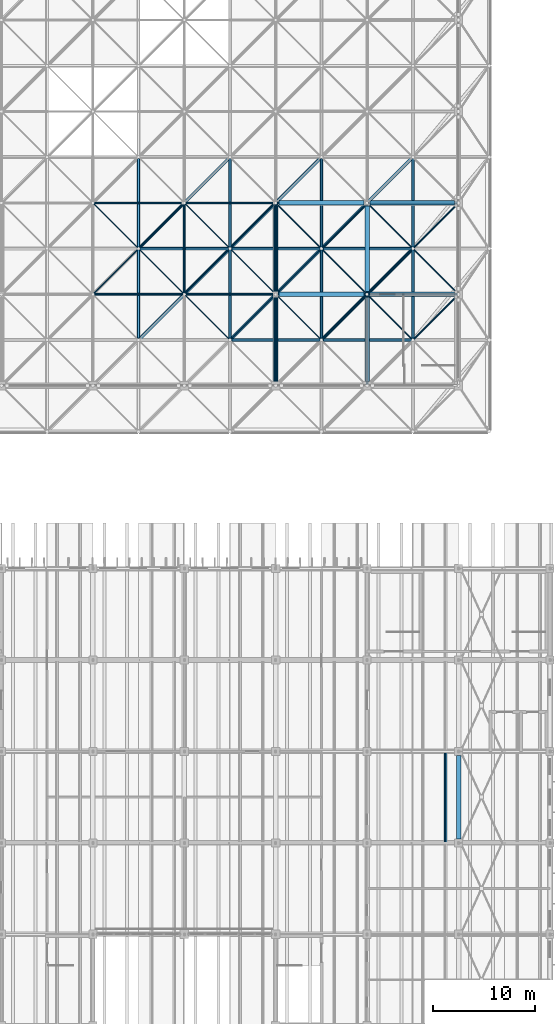
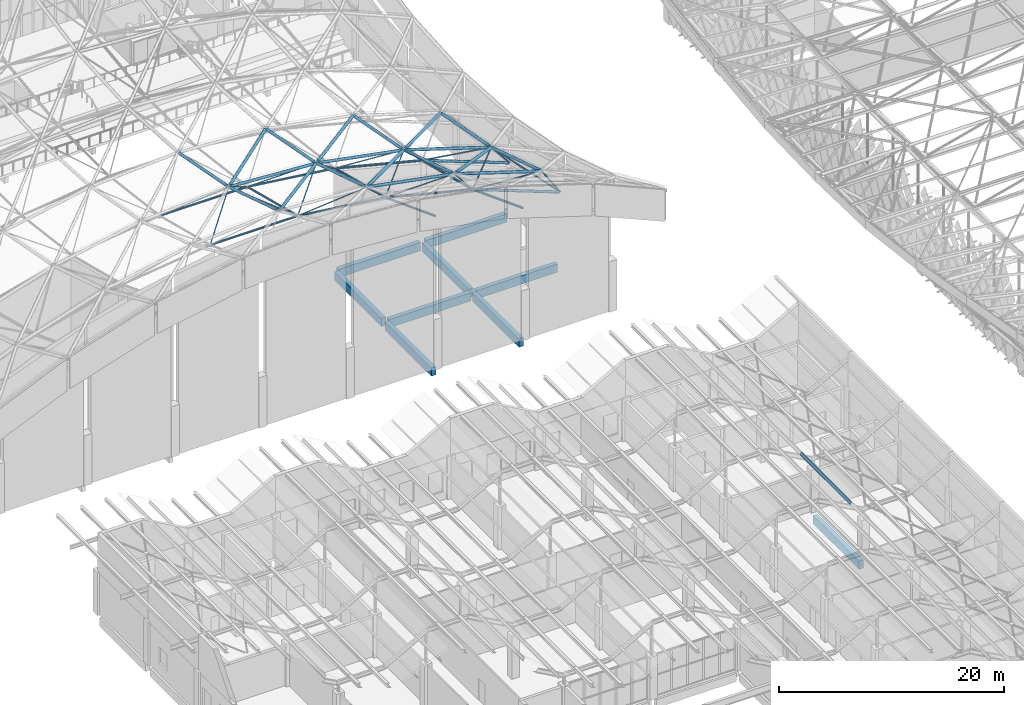
# One storey, part 72 of 437: 55 members, 9 beams.
"""IFC4 building model written with IfcOpenShell, lengths in metres."""

from ifc_helpers import new_model, si_unit, direction, frame, origin, origin_2d, place, context, subcontext, project, spatial, rectangle, hollow_circle, i_section, extrude, material, material_profile, profile_set, type_object, element, save


model = new_model("IFC4")

# Units and contexts
model_context = context("Model", 3, precision=1e-05, world=origin(), true_north=direction((0.0, 1.0)))
body_context = subcontext(model_context, "Body", "Model", "MODEL_VIEW")
ifc_project = project(units=[si_unit("LENGTHUNIT", "METRE"), si_unit("AREAUNIT", "SQUARE_METRE"), si_unit("VOLUMEUNIT", "CUBIC_METRE"), si_unit("PLANEANGLEUNIT", "RADIAN"), si_unit("MASSUNIT", "GRAM", prefix="KILO")], contexts=[model_context])

# Site, building, storey
site_placement = place(None, origin())
site = spatial("IfcSite", under=ifc_project, at=site_placement, CompositionType="ELEMENT")
building_placement = place(site_placement, origin())
building = spatial("IfcBuilding", under=site, at=building_placement, Name="Opaline Strait Convention Centre", CompositionType="ELEMENT")
storey_placement = place(building_placement, frame((0.0, 0.0, 11.5)))
storey = spatial("IfcBuildingStorey", under=building, at=storey_placement, Name="L02", CompositionType="ELEMENT", Elevation=11.5)

# Beams
ifc_material_1 = material(Name="Concrete C35", Category="concrete")
ifc_material_profile_1 = material_profile(ifc_material_1, rectangle(XDim=0.449951171875, YDim=0.89990234375, at=origin_2d()), Name="RC 450x900")
ifc_profile_set_1 = profile_set([ifc_material_profile_1], Name="Concrete C35")
beam_type_1 = type_object("IfcBeamType", Name="RC beam 450x900 C35", PredefinedType="BEAM", material=ifc_profile_set_1)
beam_1_placement = place(storey_placement, frame((72.0, 72.39990234375, -0.72998046875), z_axis=(0.0, 1.0, 0.0), x_axis=(-1.0, 0.0, 0.0)))
element("IfcBeam", 1, at=beam_1_placement, inside=storey, type_object=beam_type_1, Name="XB1 L02 72/72-72/81", PredefinedType="BEAM", context=body_context, shape_type="SweptSolid", body=[
    extrude(rectangle(XDim=0.449951171875, YDim=0.89990234375, at=origin_2d()), origin(), (0.0, 0.0, 1.0), 8.2001953125),
])
ifc_material_profile_2 = material_profile(ifc_material_1, rectangle(XDim=0.449951171875, YDim=0.89990234375, at=origin_2d()), Name="RC 450x900")
ifc_profile_set_2 = profile_set([ifc_material_profile_2], Name="Concrete C35")
beam_type_2 = type_object("IfcBeamType", Name="RC floor beam 450x900 C35", PredefinedType="BEAM", material=ifc_profile_set_2)
beam_2_placement = place(storey_placement, frame((54.300048828125, 126.0, -0.72998046875), z_axis=(1.0, 0.0, 0.0), x_axis=(0.0, 1.0, 0.0)))
element("IfcBeam", 2, at=beam_2_placement, inside=storey, type_object=beam_type_2, Name="PFB1 L02 beam 7/Q-8/Q", PredefinedType="BEAM", context=body_context, shape_type="SweptSolid", body=[
    extrude(rectangle(XDim=0.449951171875, YDim=0.89990234375, at=origin_2d()), origin(), (0.0, 0.0, 1.0), 8.39990234375),
])
for number, where, z_axis, x_axis, name in (
    (3, (63.300048828125, 126.0, -0.72998046875), (1.0, 0.0, 0.0), (0.0, 1.0, 0.0), "PFB1 L02 beam 8/Q-9/Q"),
    (4, (63.0, 117.39990234375, -0.72998046875), (0.0, 1.0, 0.0), (-1.0, 0.0, 0.0), "PFB1 L02 beam 8/P-8/Q"),
):
    element("IfcBeam", number, at=place(storey_placement, frame(where, z_axis=z_axis, x_axis=x_axis)), inside=storey, type_object=beam_type_2, Name=name, PredefinedType="BEAM", context=body_context, shape_type="SweptSolid", body=[
        extrude(rectangle(XDim=0.449951171875, YDim=0.89990234375, at=origin_2d()), origin(), (0.0, 0.0, 1.0), 8.300048828125),
    ])
beam_3_placement = place(storey_placement, frame((63.0, 126.300048828125, -0.72998046875), z_axis=(0.0, 1.0, 0.0), x_axis=(-1.0, 0.0, 0.0)))
element("IfcBeam", 5, at=beam_3_placement, inside=storey, type_object=beam_type_2, Name="PFB1 L02 beam 8/Q-8/R", PredefinedType="BEAM", context=body_context, shape_type="SweptSolid", body=[
    extrude(rectangle(XDim=0.449951171875, YDim=0.89990234375, at=origin_2d()), origin(), (0.0, 0.0, 1.0), 8.39990234375),
])
beam_4_placement = place(storey_placement, frame((54.0, 117.39990234375, -0.72998046875), z_axis=(0.0, 1.0, 0.0), x_axis=(-1.0, 0.0, 0.0)))
element("IfcBeam", 6, at=beam_4_placement, inside=storey, type_object=beam_type_2, Name="PFB1 L02 beam 7/P-7/Q", PredefinedType="BEAM", context=body_context, shape_type="SweptSolid", body=[
    extrude(rectangle(XDim=0.449951171875, YDim=0.89990234375, at=origin_2d()), origin(), (0.0, 0.0, 1.0), 8.300048828125),
])
for number, where, z_axis, x_axis, name in (
    (7, (54.0, 126.300048828125, -0.72998046875), (0.0, 1.0, 0.0), (-1.0, 0.0, 0.0), "PFB1 L02 beam 7/Q-7/R"),
    (8, (54.300048828125, 135.0, -0.72998046875), (1.0, 0.0, 0.0), (0.0, 1.0, 0.0), "PFB1 L02 beam 7/R-8/R"),
):
    element("IfcBeam", number, at=place(storey_placement, frame(where, z_axis=z_axis, x_axis=x_axis)), inside=storey, type_object=beam_type_2, Name=name, PredefinedType="BEAM", context=body_context, shape_type="SweptSolid", body=[
        extrude(rectangle(XDim=0.449951171875, YDim=0.89990234375, at=origin_2d()), origin(), (0.0, 0.0, 1.0), 8.39990234375),
    ])
beam_5_placement = place(storey_placement, frame((63.300048828125, 135.0, -0.72998046875), z_axis=(1.0, 0.0, 0.0), x_axis=(0.0, 1.0, 0.0)))
element("IfcBeam", 9, at=beam_5_placement, inside=storey, type_object=beam_type_2, Name="PFB1 L02 beam 8/R-9/R", PredefinedType="BEAM", context=body_context, shape_type="SweptSolid", body=[
    extrude(rectangle(XDim=0.449951171875, YDim=0.89990234375, at=origin_2d()), origin(), (0.0, 0.0, 1.0), 8.300048828125),
])

# Members
ifc_material_2 = material(Name="Steel Q355B", Category="steel")
ifc_material_profile_3 = material_profile(ifc_material_2, i_section(OverallWidth=0.14990234375, OverallDepth=0.300048828125, WebThickness=0.006591796875, FlangeThickness=0.009033203125, FilletRadius=0.012939453125, at=origin_2d()), Name="HN 300x150x6.5x9")
ifc_profile_set_3 = profile_set([ifc_material_profile_3], Name="Steel Q355B")
member_type_1 = type_object("IfcMemberType", Name="Roof purlin HN 300x150x6.5x9", PredefinedType="PURLIN", material=ifc_profile_set_3)
member_1_placement = place(storey_placement, frame((70.729248046875, 72.0, 6.61279296875), z_axis=(0.0, 1.0, 0.0), x_axis=(-0.874157310866, 0.0, 0.485642868639)))
element("IfcMember", 10, at=member_1_placement, inside=storey, type_object=member_type_1, Name="RU1 purlin facet 14 line 2", PredefinedType="PURLIN", context=body_context, shape_type="SweptSolid", body=[
    extrude(i_section(OverallWidth=0.14990234375, OverallDepth=0.300048828125, WebThickness=0.006591796875, FlangeThickness=0.009033203125, FilletRadius=0.012939453125, at=origin_2d()), origin(), (0.0, 0.0, 1.0), 9.0),
])
ifc_material_profile_4 = material_profile(ifc_material_2, hollow_circle(Radius=0.109619140625, WallThickness=0.008056640625, at=origin_2d()), Name="CHS 219x8")
ifc_profile_set_4 = profile_set([ifc_material_profile_4], Name="Steel Q355B")
member_type_2 = type_object("IfcMemberType", Name="Shell truss bottom chord CHS 219x8", PredefinedType="CHORD", material=ifc_profile_set_4)
member_2_placement = place(storey_placement, frame((36.14990234375, 126.0, 14.12353515625), z_axis=(1.0, 0.0, 0.0), x_axis=(0.0, 1.0, 0.0)))
element("IfcMember", 11, at=member_2_placement, inside=storey, type_object=member_type_2, Name="PBC3 bottom chord X4-2", PredefinedType="CHORD", context=body_context, shape_type="SweptSolid", body=[
    extrude(hollow_circle(Radius=0.109619140625, WallThickness=0.008056640625, at=origin_2d()), origin(), (0.0, 0.0, 1.0), 8.7001953125),
])
member_3_placement = place(storey_placement, frame((45.14990234375, 126.0, 14.1044921875), z_axis=(0.992034447069, 0.0, -0.125966883853), x_axis=(0.0, 1.0, 0.0)))
element("IfcMember", 12, at=member_3_placement, inside=storey, type_object=member_type_2, Name="PBC3 bottom chord X5-2", PredefinedType="CHORD", context=body_context, shape_type="SweptSolid", body=[
    extrude(hollow_circle(Radius=0.109619140625, WallThickness=0.008056640625, at=origin_2d()), origin(), (0.0, 0.0, 1.0), 8.77001953125),
])
member_4_placement = place(storey_placement, frame((36.14990234375, 135.0, 11.837890625), z_axis=(1.0, 0.0, 0.0), x_axis=(0.0, 1.0, 0.0)))
element("IfcMember", 13, at=member_4_placement, inside=storey, type_object=member_type_2, Name="PBC3 bottom chord X4-3", PredefinedType="CHORD", context=body_context, shape_type="SweptSolid", body=[
    extrude(hollow_circle(Radius=0.109619140625, WallThickness=0.008056640625, at=origin_2d()), origin(), (0.0, 0.0, 1.0), 8.7001953125),
])
member_5_placement = place(storey_placement, frame((45.14990234375, 135.0, 11.81884765625), z_axis=(0.992034447069, 0.0, -0.125966883853), x_axis=(0.0, 1.0, 0.0)))
element("IfcMember", 14, at=member_5_placement, inside=storey, type_object=member_type_2, Name="PBC3 bottom chord X5-3", PredefinedType="CHORD", context=body_context, shape_type="SweptSolid", body=[
    extrude(hollow_circle(Radius=0.109619140625, WallThickness=0.008056640625, at=origin_2d()), origin(), (0.0, 0.0, 1.0), 8.77001953125),
])
member_6_placement = place(storey_placement, frame((45.0, 126.14990234375, 14.08544921875), z_axis=(0.0, 0.969233447146, -0.246143301624), x_axis=(-1.0, 0.0, 0.0)))
element("IfcMember", 15, at=member_6_placement, inside=storey, type_object=member_type_2, Name="PBC3 bottom chord Y5-2", PredefinedType="CHORD", context=body_context, shape_type="SweptSolid", body=[
    extrude(hollow_circle(Radius=0.109619140625, WallThickness=0.008056640625, at=origin_2d()), origin(), (0.0, 0.0, 1.0), 8.976318359375),
])
member_7_placement = place(storey_placement, frame((54.0, 117.14990234375, 16.35205078125), z_axis=(0.0, 0.934493135261, -0.355981151397), x_axis=(-1.0, 0.0, 0.0)))
element("IfcMember", 16, at=member_7_placement, inside=storey, type_object=member_type_2, Name="PBC3 bottom chord Y6-1", PredefinedType="CHORD", context=body_context, shape_type="SweptSolid", body=[
    extrude(hollow_circle(Radius=0.109619140625, WallThickness=0.008056640625, at=origin_2d()), origin(), (0.0, 0.0, 1.0), 9.31005859375),
])
member_8_placement = place(storey_placement, frame((54.0, 126.14990234375, 12.942626953125), z_axis=(0.0, 0.969233447146, -0.246143301624), x_axis=(-1.0, 0.0, 0.0)))
element("IfcMember", 17, at=member_8_placement, inside=storey, type_object=member_type_2, Name="PBC3 bottom chord Y6-2", PredefinedType="CHORD", context=body_context, shape_type="SweptSolid", body=[
    extrude(hollow_circle(Radius=0.109619140625, WallThickness=0.008056640625, at=origin_2d()), origin(), (0.0, 0.0, 1.0), 8.976318359375),
])
ifc_material_profile_5 = material_profile(ifc_material_2, hollow_circle(Radius=0.12255859375, WallThickness=0.011962890625, at=origin_2d()), Name="CHS 245x12")
ifc_profile_set_5 = profile_set([ifc_material_profile_5], Name="Steel Q355B")
member_type_3 = type_object("IfcMemberType", Name="Shell truss bottom chord CHS 245x12", PredefinedType="CHORD", material=ifc_profile_set_5)
for number, where, z_axis, x_axis, name in (
    (18, (54.14990234375, 126.0, 12.942626953125), (0.969233447146, 0.0, -0.246143301624), (0.0, 1.0, 0.0), "PBC2 bottom chord X6-2"),
    (19, (54.14990234375, 135.0, 10.656982421875), (0.969233447146, 0.0, -0.246143301624), (0.0, 1.0, 0.0), "PBC2 bottom chord X6-3"),
):
    element("IfcMember", number, at=place(storey_placement, frame(where, z_axis=z_axis, x_axis=x_axis)), inside=storey, type_object=member_type_3, Name=name, PredefinedType="CHORD", context=body_context, shape_type="SweptSolid", body=[
        extrude(hollow_circle(Radius=0.12255859375, WallThickness=0.011962890625, at=origin_2d()), origin(), (0.0, 0.0, 1.0), 8.976318359375),
    ])
member_9_placement = place(storey_placement, frame((63.0, 117.14990234375, 14.06640625), z_axis=(0.0, 0.934493135261, -0.355981151397), x_axis=(-1.0, 0.0, 0.0)))
element("IfcMember", 20, at=member_9_placement, inside=storey, type_object=member_type_3, Name="PBC2 bottom chord Y7-1", PredefinedType="CHORD", context=body_context, shape_type="SweptSolid", body=[
    extrude(hollow_circle(Radius=0.12255859375, WallThickness=0.011962890625, at=origin_2d()), origin(), (0.0, 0.0, 1.0), 9.31005859375),
])
member_10_placement = place(storey_placement, frame((63.0, 126.14990234375, 10.656982421875), z_axis=(0.0, 0.969233447146, -0.246143301624), x_axis=(-1.0, 0.0, 0.0)))
element("IfcMember", 21, at=member_10_placement, inside=storey, type_object=member_type_3, Name="PBC2 bottom chord Y7-2", PredefinedType="CHORD", context=body_context, shape_type="SweptSolid", body=[
    extrude(hollow_circle(Radius=0.12255859375, WallThickness=0.011962890625, at=origin_2d()), origin(), (0.0, 0.0, 1.0), 8.976318359375),
])
ifc_material_profile_6 = material_profile(ifc_material_2, hollow_circle(Radius=0.136474609375, WallThickness=0.011962890625, at=origin_2d()), Name="CHS 273x12")
ifc_profile_set_6 = profile_set([ifc_material_profile_6], Name="Steel Q355B")
member_type_4 = type_object("IfcMemberType", Name="Shell truss bottom chord CHS 273x12", PredefinedType="CHORD", material=ifc_profile_set_6)
for number, where, z_axis, x_axis, name in (
    (22, (63.14990234375, 126.0, 10.637939453125), (0.934484411572, 0.0, -0.356004051282), (0.0, 1.0, 0.0), "PBC1 bottom chord X7-2"),
    (23, (63.14990234375, 135.0, 8.35205078125), (0.934493135261, 0.0, -0.355981151397), (0.0, 1.0, 0.0), "PBC1 bottom chord X7-3"),
):
    element("IfcMember", number, at=place(storey_placement, frame(where, z_axis=z_axis, x_axis=x_axis)), inside=storey, type_object=member_type_4, Name=name, PredefinedType="CHORD", context=body_context, shape_type="SweptSolid", body=[
        extrude(hollow_circle(Radius=0.136474609375, WallThickness=0.011962890625, at=origin_2d()), origin(), (0.0, 0.0, 1.0), 9.31005859375),
    ])
ifc_material_profile_7 = material_profile(ifc_material_2, hollow_circle(Radius=0.1494140625, WallThickness=0.010009765625, at=origin_2d()), Name="CHS 299x10")
ifc_profile_set_7 = profile_set([ifc_material_profile_7], Name="Steel Q355B")
member_type_5 = type_object("IfcMemberType", Name="Shell truss top chord CHS 299x10", PredefinedType="CHORD", material=ifc_profile_set_7)
member_11_placement = place(storey_placement, frame((49.64990234375, 121.5, 18.387939453125), z_axis=(0.982337601302, 0.0, -0.187117174701), x_axis=(0.0, 1.0, 0.0)))
element("IfcMember", 24, at=member_11_placement, inside=storey, type_object=member_type_5, Name="PTC2 top chord X6-2", PredefinedType="CHORD", context=body_context, shape_type="SweptSolid", body=[
    extrude(hollow_circle(Radius=0.1494140625, WallThickness=0.010009765625, at=origin_2d()), origin(), (0.0, 0.0, 1.0), 8.856689453125),
])
member_12_placement = place(storey_placement, frame((40.64990234375, 130.5, 16.12109375), z_axis=(0.997991520688, 0.0, -0.063347649001), x_axis=(0.0, 1.0, 0.0)))
element("IfcMember", 25, at=member_12_placement, inside=storey, type_object=member_type_5, Name="PTC2 top chord X5-3", PredefinedType="CHORD", context=body_context, shape_type="SweptSolid", body=[
    extrude(hollow_circle(Radius=0.1494140625, WallThickness=0.010009765625, at=origin_2d()), origin(), (0.0, 0.0, 1.0), 8.7177734375),
])
member_13_placement = place(storey_placement, frame((49.64990234375, 130.5, 15.53076171875), z_axis=(0.982337601302, 0.0, -0.187117174701), x_axis=(0.0, 1.0, 0.0)))
element("IfcMember", 26, at=member_13_placement, inside=storey, type_object=member_type_5, Name="PTC2 top chord X6-3", PredefinedType="CHORD", context=body_context, shape_type="SweptSolid", body=[
    extrude(hollow_circle(Radius=0.1494140625, WallThickness=0.010009765625, at=origin_2d()), origin(), (0.0, 0.0, 1.0), 8.856689453125),
])
member_14_placement = place(storey_placement, frame((40.5, 121.64990234375, 18.940185546875), z_axis=(0.0, 0.95312438958, -0.302578746754), x_axis=(-1.0, 0.0, 0.0)))
element("IfcMember", 27, at=member_14_placement, inside=storey, type_object=member_type_5, Name="PTC2 top chord Y5-2", PredefinedType="CHORD", context=body_context, shape_type="SweptSolid", body=[
    extrude(hollow_circle(Radius=0.1494140625, WallThickness=0.010009765625, at=origin_2d()), origin(), (0.0, 0.0, 1.0), 9.128173828125),
])
member_15_placement = place(storey_placement, frame((40.5, 130.64990234375, 16.10205078125), z_axis=(0.0, 0.982342667914, -0.187090573777), x_axis=(-1.0, 0.0, 0.0)))
element("IfcMember", 28, at=member_15_placement, inside=storey, type_object=member_type_5, Name="PTC2 top chord Y5-3", PredefinedType="CHORD", context=body_context, shape_type="SweptSolid", body=[
    extrude(hollow_circle(Radius=0.1494140625, WallThickness=0.010009765625, at=origin_2d()), origin(), (0.0, 0.0, 1.0), 8.856689453125),
])
member_16_placement = place(storey_placement, frame((49.5, 121.64990234375, 18.368896484375), z_axis=(0.0, 0.95312438958, -0.302578746754), x_axis=(-1.0, 0.0, 0.0)))
element("IfcMember", 29, at=member_16_placement, inside=storey, type_object=member_type_5, Name="PTC2 top chord Y6-2", PredefinedType="CHORD", context=body_context, shape_type="SweptSolid", body=[
    extrude(hollow_circle(Radius=0.1494140625, WallThickness=0.010009765625, at=origin_2d()), origin(), (0.0, 0.0, 1.0), 9.128173828125),
])
member_17_placement = place(storey_placement, frame((49.5, 130.64990234375, 15.53076171875), z_axis=(0.0, 0.982337601302, -0.187117174701), x_axis=(-1.0, 0.0, 0.0)))
element("IfcMember", 30, at=member_17_placement, inside=storey, type_object=member_type_5, Name="PTC2 top chord Y6-3", PredefinedType="CHORD", context=body_context, shape_type="SweptSolid", body=[
    extrude(hollow_circle(Radius=0.1494140625, WallThickness=0.010009765625, at=origin_2d()), origin(), (0.0, 0.0, 1.0), 8.856689453125),
])
member_18_placement = place(storey_placement, frame((40.606201171875, 121.606201171875, 18.947509765625), z_axis=(0.682765524407, 0.682765524407, -0.260120121026), x_axis=(-0.707106781187, 0.707106781187, 0.0)))
element("IfcMember", 31, at=member_18_placement, inside=storey, type_object=member_type_5, Name="PTC2 top chord D5-2", PredefinedType="CHORD", context=body_context, shape_type="SweptSolid", body=[
    extrude(hollow_circle(Radius=0.1494140625, WallThickness=0.010009765625, at=origin_2d()), origin(), (0.0, 0.0, 1.0), 12.87060546875),
])
member_19_placement = place(storey_placement, frame((40.606201171875, 130.606201171875, 16.103759765625), z_axis=(0.695971699433, 0.695971699433, -0.176767607829), x_axis=(-0.707106781187, 0.707106781187, 0.0)))
element("IfcMember", 32, at=member_19_placement, inside=storey, type_object=member_type_5, Name="PTC2 top chord D5-3", PredefinedType="CHORD", context=body_context, shape_type="SweptSolid", body=[
    extrude(hollow_circle(Radius=0.1494140625, WallThickness=0.010009765625, at=origin_2d()), origin(), (0.0, 0.0, 1.0), 12.62646484375),
])
member_20_placement = place(storey_placement, frame((49.606201171875, 121.606201171875, 18.362548828125), z_axis=(0.66548332054, 0.66548332054, -0.338029436835), x_axis=(-0.707106781187, 0.707106781187, 0.0)))
element("IfcMember", 33, at=member_20_placement, inside=storey, type_object=member_type_5, Name="PTC2 top chord D6-2", PredefinedType="CHORD", context=body_context, shape_type="SweptSolid", body=[
    extrude(hollow_circle(Radius=0.1494140625, WallThickness=0.010009765625, at=origin_2d()), origin(), (0.0, 0.0, 1.0), 13.204833984375),
])
member_21_placement = place(storey_placement, frame((49.606201171875, 130.606201171875, 15.518798828125), z_axis=(0.6827688932, 0.6827688932, -0.260102435505), x_axis=(-0.707106781187, 0.707106781187, 0.0)))
element("IfcMember", 34, at=member_21_placement, inside=storey, type_object=member_type_5, Name="PTC2 top chord D6-3", PredefinedType="CHORD", context=body_context, shape_type="SweptSolid", body=[
    extrude(hollow_circle(Radius=0.1494140625, WallThickness=0.010009765625, at=origin_2d()), origin(), (0.0, 0.0, 1.0), 12.87060546875),
])
ifc_material_profile_8 = material_profile(ifc_material_2, hollow_circle(Radius=0.1494140625, WallThickness=0.01611328125, at=origin_2d()), Name="CHS 299x16")
ifc_profile_set_8 = profile_set([ifc_material_profile_8], Name="Steel Q355B")
member_type_6 = type_object("IfcMemberType", Name="Shell truss top chord CHS 299x16", PredefinedType="CHORD", material=ifc_profile_set_8)
for number, where, z_axis, x_axis, name in (
    (35, (58.64990234375, 121.5, 16.654541015625), (0.95312438958, 0.0, -0.302578746754), (0.0, 1.0, 0.0), "PTC1 top chord X7-2"),
    (36, (58.64990234375, 130.5, 13.79736328125), (0.95312438958, 0.0, -0.302578746754), (0.0, 1.0, 0.0), "PTC1 top chord X7-3"),
    (37, (58.5, 121.64990234375, 16.654541015625), (0.0, 0.95312438958, -0.302578746754), (-1.0, 0.0, 0.0), "PTC1 top chord Y7-2"),
):
    element("IfcMember", number, at=place(storey_placement, frame(where, z_axis=z_axis, x_axis=x_axis)), inside=storey, type_object=member_type_6, Name=name, PredefinedType="CHORD", context=body_context, shape_type="SweptSolid", body=[
        extrude(hollow_circle(Radius=0.1494140625, WallThickness=0.01611328125, at=origin_2d()), origin(), (0.0, 0.0, 1.0), 9.128173828125),
    ])
member_22_placement = place(storey_placement, frame((58.5, 130.64990234375, 13.81640625), z_axis=(0.0, 0.982337601302, -0.187117174701), x_axis=(-1.0, 0.0, 0.0)))
element("IfcMember", 38, at=member_22_placement, inside=storey, type_object=member_type_6, Name="PTC1 top chord Y7-3", PredefinedType="CHORD", context=body_context, shape_type="SweptSolid", body=[
    extrude(hollow_circle(Radius=0.1494140625, WallThickness=0.01611328125, at=origin_2d()), origin(), (0.0, 0.0, 1.0), 8.856689453125),
])
member_23_placement = place(storey_placement, frame((67.5, 121.64990234375, 13.79736328125), z_axis=(0.0, 0.95312438958, -0.302578746754), x_axis=(-1.0, 0.0, 0.0)))
element("IfcMember", 39, at=member_23_placement, inside=storey, type_object=member_type_6, Name="PTC1 top chord Y8-2", PredefinedType="CHORD", context=body_context, shape_type="SweptSolid", body=[
    extrude(hollow_circle(Radius=0.1494140625, WallThickness=0.01611328125, at=origin_2d()), origin(), (0.0, 0.0, 1.0), 9.128173828125),
])
member_24_placement = place(storey_placement, frame((67.5, 130.64990234375, 10.959228515625), z_axis=(0.0, 0.982337601302, -0.187117174701), x_axis=(-1.0, 0.0, 0.0)))
element("IfcMember", 40, at=member_24_placement, inside=storey, type_object=member_type_6, Name="PTC1 top chord Y8-3", PredefinedType="CHORD", context=body_context, shape_type="SweptSolid", body=[
    extrude(hollow_circle(Radius=0.1494140625, WallThickness=0.01611328125, at=origin_2d()), origin(), (0.0, 0.0, 1.0), 8.856689453125),
])
member_25_placement = place(storey_placement, frame((58.606201171875, 121.606201171875, 16.634765625), z_axis=(0.64507433768, 0.64507433768, -0.409582955863), x_axis=(-0.707106781187, 0.707106781187, 0.0)))
element("IfcMember", 41, at=member_25_placement, inside=storey, type_object=member_type_6, Name="PTC1 top chord D7-2", PredefinedType="CHORD", context=body_context, shape_type="SweptSolid", body=[
    extrude(hollow_circle(Radius=0.1494140625, WallThickness=0.01611328125, at=origin_2d()), origin(), (0.0, 0.0, 1.0), 13.62255859375),
])
member_26_placement = place(storey_placement, frame((58.606201171875, 130.606201171875, 13.791015625), z_axis=(0.66548332054, 0.66548332054, -0.338029436835), x_axis=(-0.707106781187, 0.707106781187, 0.0)))
element("IfcMember", 42, at=member_26_placement, inside=storey, type_object=member_type_6, Name="PTC1 top chord D7-3", PredefinedType="CHORD", context=body_context, shape_type="SweptSolid", body=[
    extrude(hollow_circle(Radius=0.1494140625, WallThickness=0.01611328125, at=origin_2d()), origin(), (0.0, 0.0, 1.0), 13.204833984375),
])
ifc_material_profile_9 = material_profile(ifc_material_2, hollow_circle(Radius=0.056884765625, WallThickness=0.006103515625, at=origin_2d()), Name="CHS 114x6")
ifc_profile_set_9 = profile_set([ifc_material_profile_9], Name="Steel Q355B")
member_type_7 = type_object("IfcMemberType", Name="Shell truss web CHS 114x6", PredefinedType="BRACE", material=ifc_profile_set_9)
member_27_placement = place(storey_placement, frame((36.106201171875, 126.106201171875, 14.1708984375), z_axis=(0.674355522785, 0.674355522785, 0.300814324422), x_axis=(-0.707106781187, 0.707106781187, 0.0)))
element("IfcMember", 43, at=member_27_placement, inside=storey, type_object=member_type_7, Name="PWB3 web 4-2bd", PredefinedType="BRACE", context=body_context, shape_type="SweptSolid", body=[
    extrude(hollow_circle(Radius=0.056884765625, WallThickness=0.006103515625, at=origin_2d()), origin(), (0.0, 0.0, 1.0), 6.358154296875),
])
member_28_placement = place(storey_placement, frame((36.106201171875, 134.893798828125, 11.93896484375), z_axis=(0.58618937533, -0.58618937533, 0.559253102361), x_axis=(0.707106781187, 0.707106781187, 0.0)))
element("IfcMember", 44, at=member_28_placement, inside=storey, type_object=member_type_7, Name="PWB3 web 4-3bc", PredefinedType="BRACE", context=body_context, shape_type="SweptSolid", body=[
    extrude(hollow_circle(Radius=0.056884765625, WallThickness=0.006103515625, at=origin_2d()), origin(), (0.0, 0.0, 1.0), 7.314453125),
])
member_29_placement = place(storey_placement, frame((44.893798828125, 126.106201171875, 14.1708984375), z_axis=(-0.674355522785, 0.674355522785, 0.300814324422), x_axis=(-0.707106781187, -0.707106781187, 0.0)))
element("IfcMember", 45, at=member_29_placement, inside=storey, type_object=member_type_7, Name="PWB3 web 5-2ad", PredefinedType="BRACE", context=body_context, shape_type="SweptSolid", body=[
    extrude(hollow_circle(Radius=0.056884765625, WallThickness=0.006103515625, at=origin_2d()), origin(), (0.0, 0.0, 1.0), 6.358154296875),
])
member_30_placement = place(storey_placement, frame((45.106201171875, 125.893798828125, 14.224853515625), z_axis=(0.586200317653, -0.586200317653, 0.559230162963), x_axis=(0.707106781187, 0.707106781187, 0.0)))
element("IfcMember", 46, at=member_30_placement, inside=storey, type_object=member_type_7, Name="PWB3 web 5-2bc", PredefinedType="BRACE", context=body_context, shape_type="SweptSolid", body=[
    extrude(hollow_circle(Radius=0.056884765625, WallThickness=0.006103515625, at=origin_2d()), origin(), (0.0, 0.0, 1.0), 7.314208984375),
])
member_31_placement = place(storey_placement, frame((45.106201171875, 126.106201171875, 14.157470703125), z_axis=(0.689772102252, 0.689772102252, 0.220065658178), x_axis=(-0.707106781187, 0.707106781187, 0.0)))
element("IfcMember", 47, at=member_31_placement, inside=storey, type_object=member_type_7, Name="PWB3 web 5-2bd", PredefinedType="BRACE", context=body_context, shape_type="SweptSolid", body=[
    extrude(hollow_circle(Radius=0.056884765625, WallThickness=0.006103515625, at=origin_2d()), origin(), (0.0, 0.0, 1.0), 6.216064453125),
])
member_32_placement = place(storey_placement, frame((44.893798828125, 134.893798828125, 11.93896484375), z_axis=(-0.58618937533, -0.58618937533, 0.559253102361), x_axis=(0.707106781187, -0.707106781187, 0.0)))
element("IfcMember", 48, at=member_32_placement, inside=storey, type_object=member_type_7, Name="PWB3 web 5-3ac", PredefinedType="BRACE", context=body_context, shape_type="SweptSolid", body=[
    extrude(hollow_circle(Radius=0.056884765625, WallThickness=0.006103515625, at=origin_2d()), origin(), (0.0, 0.0, 1.0), 7.314453125),
])
member_33_placement = place(storey_placement, frame((45.106201171875, 134.893798828125, 11.925537109375), z_axis=(0.610386818671, -0.610386818671, 0.504832510033), x_axis=(0.707106781187, 0.707106781187, 0.0)))
element("IfcMember", 49, at=member_33_placement, inside=storey, type_object=member_type_7, Name="PWB3 web 5-3bc", PredefinedType="BRACE", context=body_context, shape_type="SweptSolid", body=[
    extrude(hollow_circle(Radius=0.056884765625, WallThickness=0.006103515625, at=origin_2d()), origin(), (0.0, 0.0, 1.0), 7.0244140625),
])
member_34_placement = place(storey_placement, frame((53.893798828125, 125.893798828125, 13.10888671875), z_axis=(-0.537659406453, -0.537659406453, 0.649495746949), x_axis=(0.707106781187, -0.707106781187, 0.0)))
element("IfcMember", 50, at=member_34_placement, inside=storey, type_object=member_type_7, Name="PWB3 web 6-2ac", PredefinedType="BRACE", context=body_context, shape_type="SweptSolid", body=[
    extrude(hollow_circle(Radius=0.056884765625, WallThickness=0.006103515625, at=origin_2d()), origin(), (0.0, 0.0, 1.0), 7.974609375),
])
member_35_placement = place(storey_placement, frame((53.893798828125, 126.106201171875, 13.04150390625), z_axis=(-0.655347879398, 0.655347879398, 0.375550680917), x_axis=(-0.707106781187, -0.707106781187, 0.0)))
element("IfcMember", 51, at=member_35_placement, inside=storey, type_object=member_type_7, Name="PWB3 web 6-2ad", PredefinedType="BRACE", context=body_context, shape_type="SweptSolid", body=[
    extrude(hollow_circle(Radius=0.056884765625, WallThickness=0.006103515625, at=origin_2d()), origin(), (0.0, 0.0, 1.0), 6.54248046875),
])
member_36_placement = place(storey_placement, frame((54.106201171875, 125.893798828125, 13.068359375), z_axis=(0.610386818671, -0.610386818671, 0.504832510033), x_axis=(0.707106781187, 0.707106781187, 0.0)))
element("IfcMember", 52, at=member_36_placement, inside=storey, type_object=member_type_7, Name="PWB3 web 6-2bc", PredefinedType="BRACE", context=body_context, shape_type="SweptSolid", body=[
    extrude(hollow_circle(Radius=0.056884765625, WallThickness=0.006103515625, at=origin_2d()), origin(), (0.0, 0.0, 1.0), 7.0244140625),
])
member_37_placement = place(storey_placement, frame((54.106201171875, 126.106201171875, 13.001220703125), z_axis=(0.700674687609, 0.700674687609, 0.134573267356), x_axis=(-0.707106781187, 0.707106781187, 0.0)))
element("IfcMember", 53, at=member_37_placement, inside=storey, type_object=member_type_7, Name="PWB3 web 6-2bd", PredefinedType="BRACE", context=body_context, shape_type="SweptSolid", body=[
    extrude(hollow_circle(Radius=0.056884765625, WallThickness=0.006103515625, at=origin_2d()), origin(), (0.0, 0.0, 1.0), 6.119140625),
])
member_38_placement = place(storey_placement, frame((53.893798828125, 134.893798828125, 10.809814453125), z_axis=(-0.56178917646, -0.56178917646, 0.607277401544), x_axis=(0.707106781187, -0.707106781187, 0.0)))
element("IfcMember", 54, at=member_38_placement, inside=storey, type_object=member_type_7, Name="PWB3 web 6-3ac", PredefinedType="BRACE", context=body_context, shape_type="SweptSolid", body=[
    extrude(hollow_circle(Radius=0.056884765625, WallThickness=0.006103515625, at=origin_2d()), origin(), (0.0, 0.0, 1.0), 7.632080078125),
])
member_39_placement = place(storey_placement, frame((54.106201171875, 134.893798828125, 10.769287109375), z_axis=(0.633718163842, -0.633718163842, 0.443624365464), x_axis=(0.707106781187, 0.707106781187, 0.0)))
element("IfcMember", 55, at=member_39_placement, inside=storey, type_object=member_type_7, Name="PWB3 web 6-3bc", PredefinedType="BRACE", context=body_context, shape_type="SweptSolid", body=[
    extrude(hollow_circle(Radius=0.056884765625, WallThickness=0.006103515625, at=origin_2d()), origin(), (0.0, 0.0, 1.0), 6.765869140625),
])
ifc_material_profile_10 = material_profile(ifc_material_2, hollow_circle(Radius=0.070068359375, WallThickness=0.008056640625, at=origin_2d()), Name="CHS 140x8")
ifc_profile_set_10 = profile_set([ifc_material_profile_10], Name="Steel Q355B")
member_type_8 = type_object("IfcMemberType", Name="Shell truss web CHS 140x8", PredefinedType="BRACE", material=ifc_profile_set_10)
member_40_placement = place(storey_placement, frame((62.893798828125, 125.893798828125, 10.836669921875), z_axis=(-0.514195979125, -0.514195979125, 0.68644372683), x_axis=(0.707106781187, -0.707106781187, 0.0)))
element("IfcMember", 56, at=member_40_placement, inside=storey, type_object=member_type_8, Name="PWB2 web 7-2ac", PredefinedType="BRACE", context=body_context, shape_type="SweptSolid", body=[
    extrude(hollow_circle(Radius=0.070068359375, WallThickness=0.008056640625, at=origin_2d()), origin(), (0.0, 0.0, 1.0), 8.33837890625),
])
for number, where, z_axis, x_axis, name in (
    (57, (62.893798828125, 126.106201171875, 10.769287109375), (-0.633718163842, 0.633718163842, 0.443624365464), (-0.707106781187, -0.707106781187, 0.0), "PWB2 web 7-2ad"),
    (58, (63.106201171875, 125.893798828125, 10.769287109375), (0.633718163842, -0.633718163842, 0.443624365464), (0.707106781187, 0.707106781187, 0.0), "PWB2 web 7-2bc"),
):
    element("IfcMember", number, at=place(storey_placement, frame(where, z_axis=z_axis, x_axis=x_axis)), inside=storey, type_object=member_type_8, Name=name, PredefinedType="BRACE", context=body_context, shape_type="SweptSolid", body=[
        extrude(hollow_circle(Radius=0.070068359375, WallThickness=0.008056640625, at=origin_2d()), origin(), (0.0, 0.0, 1.0), 6.765869140625),
    ])
member_41_placement = place(storey_placement, frame((63.106201171875, 126.106201171875, 10.701904296875), z_axis=(0.706359162176, 0.706359162176, 0.045972470241), x_axis=(-0.707106781187, 0.707106781187, 0.0)))
element("IfcMember", 59, at=member_41_placement, inside=storey, type_object=member_type_8, Name="PWB2 web 7-2bd", PredefinedType="BRACE", context=body_context, shape_type="SweptSolid", body=[
    extrude(hollow_circle(Radius=0.070068359375, WallThickness=0.008056640625, at=origin_2d()), origin(), (0.0, 0.0, 1.0), 6.070068359375),
])
member_42_placement = place(storey_placement, frame((62.893798828125, 134.893798828125, 8.537353515625), z_axis=(-0.537659406453, -0.537659406453, 0.649495746949), x_axis=(0.707106781187, -0.707106781187, 0.0)))
element("IfcMember", 60, at=member_42_placement, inside=storey, type_object=member_type_8, Name="PWB2 web 7-3ac", PredefinedType="BRACE", context=body_context, shape_type="SweptSolid", body=[
    extrude(hollow_circle(Radius=0.070068359375, WallThickness=0.008056640625, at=origin_2d()), origin(), (0.0, 0.0, 1.0), 7.974609375),
])
member_43_placement = place(storey_placement, frame((63.106201171875, 134.893798828125, 8.47021484375), z_axis=(0.655357063272, -0.655357063272, 0.375518627019), x_axis=(0.707106781187, 0.707106781187, 0.0)))
element("IfcMember", 61, at=member_43_placement, inside=storey, type_object=member_type_8, Name="PWB2 web 7-3bc", PredefinedType="BRACE", context=body_context, shape_type="SweptSolid", body=[
    extrude(hollow_circle(Radius=0.070068359375, WallThickness=0.008056640625, at=origin_2d()), origin(), (0.0, 0.0, 1.0), 6.54248046875),
])
ifc_material_profile_11 = material_profile(ifc_material_2, hollow_circle(Radius=0.083984375, WallThickness=0.010009765625, at=origin_2d()), Name="CHS 168x10")
ifc_profile_set_11 = profile_set([ifc_material_profile_11], Name="Steel Q355B")
member_type_9 = type_object("IfcMemberType", Name="Shell truss web CHS 168x10", PredefinedType="BRACE", material=ifc_profile_set_11)
member_44_placement = place(storey_placement, frame((71.8974609375, 125.8974609375, 7.41650390625), z_axis=(-0.491649700589, -0.491649700589, 0.718721882108), x_axis=(0.707106781187, -0.707106781187, 0.0)))
element("IfcMember", 62, at=member_44_placement, inside=storey, type_object=member_type_9, Name="PWB1 web 8-2ac", PredefinedType="BRACE", context=body_context, shape_type="SweptSolid", body=[
    extrude(hollow_circle(Radius=0.083984375, WallThickness=0.010009765625, at=origin_2d()), origin(), (0.0, 0.0, 1.0), 8.73583984375),
])
member_45_placement = place(storey_placement, frame((71.893798828125, 126.106201171875, 7.35400390625), z_axis=(-0.610386818671, 0.610386818671, 0.504832510033), x_axis=(-0.707106781187, -0.707106781187, 0.0)))
element("IfcMember", 63, at=member_45_placement, inside=storey, type_object=member_type_9, Name="PWB1 web 8-2ad", PredefinedType="BRACE", context=body_context, shape_type="SweptSolid", body=[
    extrude(hollow_circle(Radius=0.083984375, WallThickness=0.010009765625, at=origin_2d()), origin(), (0.0, 0.0, 1.0), 7.0244140625),
])
member_46_placement = place(storey_placement, frame((71.893798828125, 134.893798828125, 5.122314453125), z_axis=(-0.514195979125, -0.514195979125, 0.68644372683), x_axis=(0.707106781187, -0.707106781187, 0.0)))
element("IfcMember", 64, at=member_46_placement, inside=storey, type_object=member_type_9, Name="PWB1 web 8-3ac", PredefinedType="BRACE", context=body_context, shape_type="SweptSolid", body=[
    extrude(hollow_circle(Radius=0.083984375, WallThickness=0.010009765625, at=origin_2d()), origin(), (0.0, 0.0, 1.0), 8.33837890625),
])

save(model, "model.ifc")
